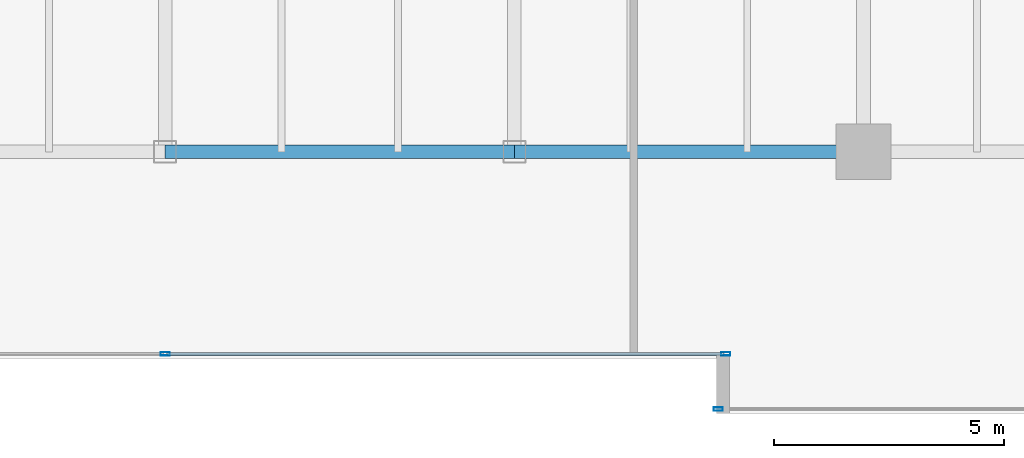
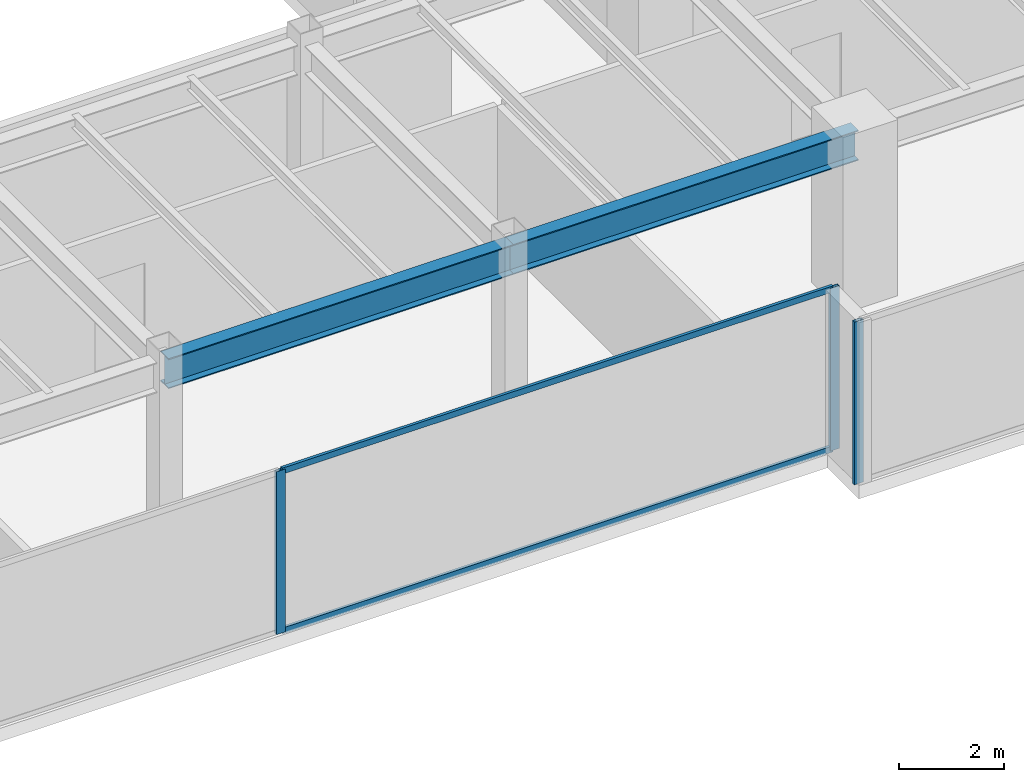
# One storey, part 10 of 30: 5 members, 2 beams, 2 elements without a shape of their own.
"""IFC4 building model written with IfcOpenShell, lengths in metres."""

from ifc_helpers import new_model, si_unit, direction, frame, origin, origin_2d, place, context, subcontext, project, spatial, hollow_rectangle, i_section, extrude, source, transform, mapped, material, layer, layer_set, material_profile, profile_set, type_object, type_shapes, element, aggregate, save


model = new_model("IFC4")

# Units and contexts
model_context = context("Model", 3, precision=1e-05, world=origin(), true_north=direction((0.0, 1.0)))
body_context = subcontext(model_context, "Body", "Model", "MODEL_VIEW")
ifc_project = project(units=[si_unit("LENGTHUNIT", "METRE"), si_unit("AREAUNIT", "SQUARE_METRE"), si_unit("VOLUMEUNIT", "CUBIC_METRE"), si_unit("PLANEANGLEUNIT", "RADIAN"), si_unit("MASSUNIT", "GRAM", prefix="KILO")], contexts=[model_context])

# Site, building, storey
site_placement = place(None, origin())
site = spatial("IfcSite", under=ifc_project, at=site_placement, CompositionType="ELEMENT")
building_placement = place(site_placement, origin())
building = spatial("IfcBuilding", under=site, at=building_placement, Name="Haelvirn Gate Laboratories", CompositionType="ELEMENT")
storey_placement = place(building_placement, frame((0.0, 0.0, 142.0)))
storey = spatial("IfcBuildingStorey", under=building, at=storey_placement, Name="L34", CompositionType="ELEMENT", Elevation=142.0)

# Beams
ifc_material_1 = material(Name="Steel SM355", Category="steel")
ifc_material_profile_1 = material_profile(ifc_material_1, i_section(OverallWidth=0.300048828125, OverallDepth=0.699951171875, WebThickness=0.012939453125, FlangeThickness=0.02392578125, at=origin_2d()), Name="H-700x300x13x24")
ifc_profile_set_1 = profile_set([ifc_material_profile_1], Name="Steel SM355")
beam_type = type_object("IfcBeamType", Name="BM-G-700", PredefinedType="BEAM", material=ifc_profile_set_1)
shared_shape_1 = source(origin(), body_context, "Body", "SweptSolid", [
    extrude(i_section(OverallWidth=0.300048828125, OverallDepth=0.699951171875, WebThickness=0.012939453125, FlangeThickness=0.02392578125, at=origin_2d()), origin(), (0.0, 0.0, 1.0), 7.60009765625),
])
type_shapes(beam_type, [shared_shape_1])
for number, where, z_axis, x_axis, name in (
    (1, (37.39990234375, 7.0, 3.43994140625), (1.0, 0.0, 0.0), (0.0, 1.0, 0.0), "L34 Primary Girder Y7.0 (37.4-45.0)"),
    (2, (45.0, 7.0, 3.43994140625), (1.0, 0.0, 0.0), (0.0, 1.0, 0.0), "L34 Primary Girder Y7.0 (45.0-52.6)"),
):
    element("IfcBeam", number, at=place(storey_placement, frame(where, z_axis=z_axis, x_axis=x_axis)), inside=storey, type_object=beam_type, Name=name, PredefinedType="BEAM", context=body_context, shape_type="MappedRepresentation", body=[
        mapped(shared_shape_1, transform((0.0, 0.0, 0.0), scale=1.0)),
    ])

# Curtain wall, members
ifc_material_2 = material(Name="Anodised bronze unitised aluminium & triple low-E glass", Category="aluminium")
ifc_layer = layer(ifc_material_2, 0.179931640625, Name="CW-SYS-3")
ifc_layer_set = layer_set([ifc_layer], Name="Anodised bronze unitised aluminium & triple low-E glass")
curtain_wall_type = type_object("IfcCurtainWallType", Name="CW-SYS-3", PredefinedType="NOTDEFINED", material=ifc_layer_set)
curtain_wall_1_placement = place(storey_placement, origin())
curtain_wall_1 = element("IfcCurtainWall", 3, at=curtain_wall_1_placement, inside=storey, type_object=curtain_wall_type, Name="L34 Unitised Curtain Wall CW-L34-P0-E02-1", PredefinedType="NOTDEFINED")
ifc_material_3 = material(Name="Extruded aluminium 6063-T6 (anodised bronze)", Category="aluminium")
ifc_material_profile_2 = material_profile(ifc_material_3, hollow_rectangle(XDim=0.06494140625, YDim=0.139892578125, WallThickness=0.00390625, at=origin_2d()), Name="CWT-140x65x4")
ifc_profile_set_2 = profile_set([ifc_material_profile_2], Name="Extruded aluminium 6063-T6 (anodised bronze)")
member_type_1 = type_object("IfcMemberType", Name="CWT-T140", PredefinedType="USERDEFINED", material=ifc_profile_set_2)
shared_shape_2 = source(origin(), body_context, "Body", "SweptSolid", [
    extrude(hollow_rectangle(XDim=0.06494140625, YDim=0.139892578125, WallThickness=0.00390625, at=origin_2d()), origin(), (0.0, 0.0, 1.0), 12.12744140625),
])
type_shapes(member_type_1, [shared_shape_2])
member_1_placement = place(storey_placement, frame((37.4375, 2.60009765625, 0.032470703125), z_axis=(1.0, 0.0, 0.0), x_axis=(0.0, 1.0, 0.0)))
member_1 = element("IfcMember", 4, at=member_1_placement, type_object=member_type_1, Name="CW3 transom 2.1", ObjectType="TRANSOM", PredefinedType="USERDEFINED", context=body_context, shape_type="MappedRepresentation", body=[
    mapped(shared_shape_2, transform((0.0, 0.0, 0.0), scale=1.0)),
])
member_2_placement = place(storey_placement, frame((37.4375, 2.60009765625, 3.757568359375), z_axis=(1.0, 0.0, 0.0), x_axis=(0.0, 1.0, 0.0)))
member_2 = element("IfcMember", 5, at=member_2_placement, type_object=member_type_1, Name="CW3 transom 2.2", ObjectType="TRANSOM", PredefinedType="USERDEFINED", context=body_context, shape_type="MappedRepresentation", body=[
    mapped(shared_shape_2, transform((0.0, 0.0, 0.0), scale=1.0)),
])
ifc_material_profile_3 = material_profile(ifc_material_3, hollow_rectangle(XDim=0.074951171875, YDim=0.199951171875, WallThickness=0.0048828125, at=origin_2d()), Name="CWM-200x75x5")
ifc_profile_set_3 = profile_set([ifc_material_profile_3], Name="Extruded aluminium 6063-T6 (anodised bronze)")
member_type_2 = type_object("IfcMemberType", Name="CWM-T200", PredefinedType="MULLION", material=ifc_profile_set_3)
shared_shape_3 = source(origin(), body_context, "Body", "SweptSolid", [
    extrude(hollow_rectangle(XDim=0.074951171875, YDim=0.199951171875, WallThickness=0.0048828125, at=origin_2d()), origin(), (0.0, 0.0, 1.0), 3.7900390625),
])
type_shapes(member_type_2, [shared_shape_3])
member_3_placement = place(storey_placement, frame((37.39990234375, 2.60009765625, 0.0), z_axis=(0.0, 0.0, 1.0), x_axis=(0.0, 1.0, 0.0)))
member_3 = element("IfcMember", 6, at=member_3_placement, type_object=member_type_2, Name="CW3 mullion 2", PredefinedType="MULLION", context=body_context, shape_type="MappedRepresentation", body=[
    mapped(shared_shape_3, transform((0.0, 0.0, 0.0), scale=1.0)),
])
member_4_placement = place(storey_placement, frame((49.6025390625, 2.60009765625, 0.0), z_axis=(0.0, 0.0, 1.0), x_axis=(0.0, 1.0, 0.0)))
member_4 = element("IfcMember", 7, at=member_4_placement, type_object=member_type_2, Name="CW3 mullion 3", PredefinedType="MULLION", context=body_context, shape_type="MappedRepresentation", body=[
    mapped(shared_shape_3, transform((0.0, 0.0, 0.0), scale=1.0)),
])
aggregate(curtain_wall_1, [member_3, member_4, member_1, member_2])

# Curtain wall, member
curtain_wall_2_placement = place(storey_placement, origin())
curtain_wall_2 = element("IfcCurtainWall", 8, at=curtain_wall_2_placement, inside=storey, type_object=curtain_wall_type, Name="L34 Unitised Curtain Wall CW-L34-P0-E04-1", PredefinedType="NOTDEFINED")
member_5_placement = place(storey_placement, frame((49.4375, 1.39990234375, 0.0), z_axis=(0.0, 0.0, 1.0), x_axis=(0.0, 1.0, 0.0)))
member_5 = element("IfcMember", 9, at=member_5_placement, type_object=member_type_2, Name="CW3 mullion 1", PredefinedType="MULLION", context=body_context, shape_type="MappedRepresentation", body=[
    mapped(shared_shape_3, transform((0.0, 0.0, 0.0), scale=1.0)),
])
aggregate(curtain_wall_2, [member_5])

save(model, "model.ifc")
